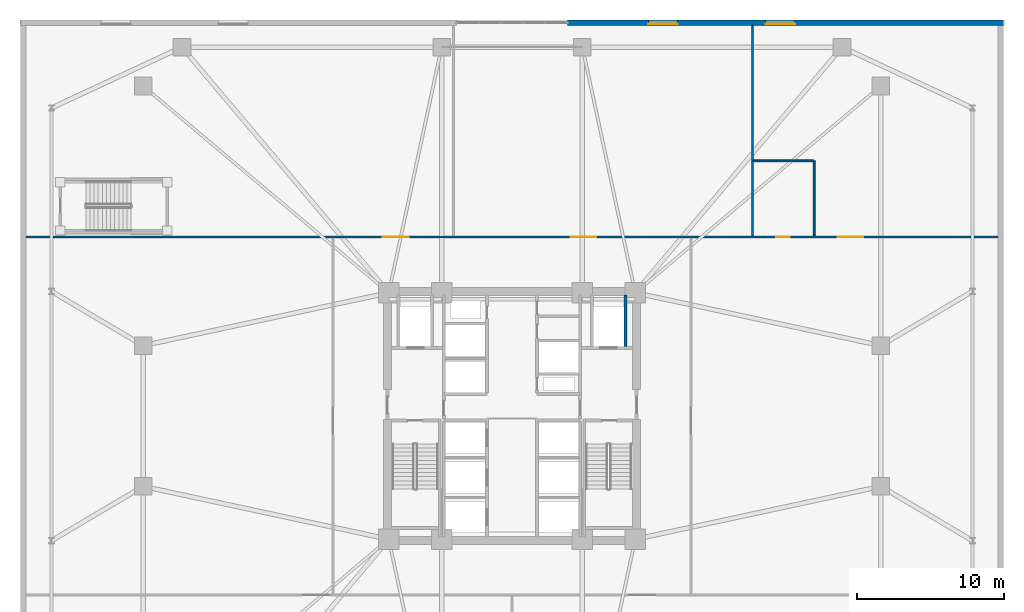
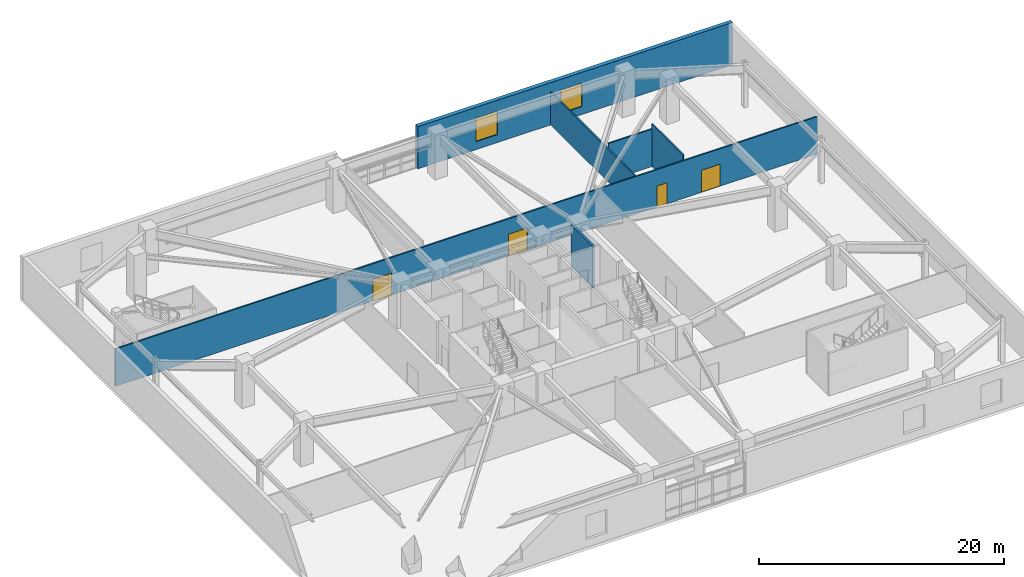
# One storey, part 14 of 21: 6 walls, 4 doors, 2 windows, 6 openings.
"""IFC4 building model written with IfcOpenShell, lengths in metres."""

from ifc_helpers import new_model, si_unit, direction, frame, frame_2d, origin, place, context, subcontext, project, spatial, rectangle, extrude, material, layer, layer_set, type_object, element, fill, save


model = new_model("IFC4")

# Units and contexts
model_context = context("Model", 3, precision=1e-05, world=origin(), true_north=direction((0.0, 1.0)))
body_context = subcontext(model_context, "Body", "Model", "MODEL_VIEW")
ifc_project = project(units=[si_unit("LENGTHUNIT", "METRE"), si_unit("AREAUNIT", "SQUARE_METRE"), si_unit("VOLUMEUNIT", "CUBIC_METRE"), si_unit("PLANEANGLEUNIT", "RADIAN"), si_unit("MASSUNIT", "GRAM", prefix="KILO")], contexts=[model_context])

# Site, building, storey
site_placement = place(None, origin())
site = spatial("IfcSite", under=ifc_project, at=site_placement, CompositionType="ELEMENT")
building_placement = place(site_placement, origin())
building = spatial("IfcBuilding", under=site, at=building_placement, Name="Cairnveth Concourse Tower", CompositionType="ELEMENT")
storey_placement = place(building_placement, frame((0.0, 0.0, 10.0)))
storey = spatial("IfcBuildingStorey", under=building, at=storey_placement, Name="L02", CompositionType="ELEMENT", Elevation=10.0)

# Wall
ifc_material_1 = material(Name="Concrete N50 (50 MPa)", Category="concrete")
ifc_layer_1 = layer(ifc_material_1, 0.199951171875)
ifc_layer_set_1 = layer_set([ifc_layer_1], Name="Concrete N50 (50 MPa)")
wall_type_1 = type_object("IfcWallType", Name="FIRE SHAFT WALL 200", PredefinedType="SOLIDWALL", material=ifc_layer_set_1)
wall_1_placement = place(storey_placement, frame((59.75, 43.735107421875, 0.0), z_axis=(0.0, 0.0, 1.0), x_axis=(0.0, 1.0, 0.0)))
element("IfcWall", 1, at=wall_1_placement, inside=storey, type_object=wall_type_1, Name="Interior Wall IW-L02-024", PredefinedType="SOLIDWALL", context=body_context, shape_type="SweptSolid", body=[
    extrude(rectangle(XDim=3.5048828125, YDim=0.199951171875, at=frame_2d((1.75244140625, 0.0))), origin(), (0.0, 0.0, 1.0), 4.219970703125),
])

# Wall, openings, doors
ifc_material_2 = material(Name="Gypsum Plasterboard Partition", Category="gypsum")
ifc_layer_2 = layer(ifc_material_2, 0.139892578125)
ifc_layer_set_2 = layer_set([ifc_layer_2], Name="Gypsum Plasterboard Partition")
wall_type_2 = type_object("IfcWallType", Name="GYPSUM STUD PARTITION 140", PredefinedType="PARTITIONING", material=ifc_layer_set_2)
wall_2_placement = place(storey_placement, frame((18.864990234375, 51.199951171875, 0.0), z_axis=(0.0, 0.0, 1.0), x_axis=(1.0, 0.0, 0.0)))
wall_2 = element("IfcWall", 2, at=wall_2_placement, inside=storey, type_object=wall_type_2, Name="Interior Wall IW-L02-039", PredefinedType="PARTITIONING", context=body_context, shape_type="SweptSolid", body=[
    extrude(rectangle(XDim=66.27001953125, YDim=0.139892578125, at=frame_2d((33.135009765625, 0.0))), origin(), (0.0, 0.0, 1.0), 3.738037109375),
])
opening_1_placement = place(wall_2_placement, frame((24.3349609375, 0.0, 0.0)))
opening_1 = element("IfcOpeningElement", 3, at=opening_1_placement, cuts=wall_2, Name="Opening ID27", PredefinedType="OPENING", context=body_context, shape_type="SweptSolid", body=[
    extrude(rectangle(XDim=1.760009765625, YDim=2.199951171875, at=frame_2d((0.8798828125, 1.10009765625))), frame((0.0, 0.079833984375, 0.0), z_axis=(0.0, -1.0, 0.0), x_axis=(1.0, 0.0, 0.0)), (0.0, 0.0, 1.0), 0.159912109375),
])
opening_2_placement = place(wall_2_placement, frame((37.135009765625, 0.0, 0.0)))
opening_2 = element("IfcOpeningElement", 4, at=opening_2_placement, cuts=wall_2, Name="Opening ID27", PredefinedType="OPENING", context=body_context, shape_type="SweptSolid", body=[
    extrude(rectangle(XDim=1.760009765625, YDim=2.199951171875, at=frame_2d((0.8798828125, 1.10009765625))), frame((0.0, 0.079833984375, 0.0), z_axis=(0.0, -1.0, 0.0), x_axis=(1.0, 0.0, 0.0)), (0.0, 0.0, 1.0), 0.159912109375),
])
opening_3_placement = place(wall_2_placement, frame((51.135009765625, 0.0, 0.0)))
opening_3 = element("IfcOpeningElement", 5, at=opening_3_placement, cuts=wall_2, Name="Opening ID13", PredefinedType="OPENING", context=body_context, shape_type="SweptSolid", body=[
    extrude(rectangle(XDim=0.949951171875, YDim=2.10009765625, at=frame_2d((0.47509765625, 1.050048828125))), frame((0.0, 0.079833984375, 0.0), z_axis=(0.0, -1.0, 0.0), x_axis=(1.0, 0.0, 0.0)), (0.0, 0.0, 1.0), 0.159912109375),
])
opening_4_placement = place(wall_2_placement, frame((55.3349609375, 0.0, 0.0)))
opening_4 = element("IfcOpeningElement", 6, at=opening_4_placement, cuts=wall_2, Name="Opening ID27", PredefinedType="OPENING", context=body_context, shape_type="SweptSolid", body=[
    extrude(rectangle(XDim=1.760009765625, YDim=2.199951171875, at=frame_2d((0.8798828125, 1.10009765625))), frame((0.0, 0.079833984375, 0.0), z_axis=(0.0, -1.0, 0.0), x_axis=(1.0, 0.0, 0.0)), (0.0, 0.0, 1.0), 0.159912109375),
])
ifc_material_3 = material(Name="Solid Core Hardwood Timber Leaf", Category="wood")
door_type_1 = type_object("IfcDoorType", Name="ACCESSIBLE WC DOOR 950X2100", OperationType="NOTDEFINED", PredefinedType="DOOR", material=ifc_material_3)
door_1_placement = place(opening_3_placement, origin())
door_1 = element("IfcDoor", 7, at=door_1_placement, inside=storey, type_object=door_type_1, Name="Interior Door DR-L02-018", OperationType="SINGLE_SWING_RIGHT", OverallHeight=2.10009765625, OverallWidth=0.949951171875, PredefinedType="DOOR", context=body_context, shape_type="SweptSolid", body=[
    extrude(rectangle(XDim=0.949951171875, YDim=2.10009765625, at=frame_2d((0.47509765625, 1.050048828125))), frame((0.0, 0.02490234375, 0.0), z_axis=(0.0, -1.0, 0.0), x_axis=(1.0, 0.0, 0.0)), (0.0, 0.0, 1.0), 0.050048828125),
])
fill(opening_3, door_1)
door_type_2 = type_object("IfcDoorType", Name="CONCOURSE DOUBLE DOOR 1760X2200", OperationType="DOUBLE_DOOR_SINGLE_SWING", PredefinedType="DOOR", material=ifc_material_3)
door_2_placement = place(opening_1_placement, origin())
door_2 = element("IfcDoor", 8, at=door_2_placement, inside=storey, type_object=door_type_2, Name="Interior Door DR-L02-016", OperationType="DOUBLE_DOOR_SINGLE_SWING", OverallHeight=2.199951171875, OverallWidth=1.760009765625, PredefinedType="DOOR", context=body_context, shape_type="SweptSolid", body=[
    extrude(rectangle(XDim=1.760009765625, YDim=2.199951171875, at=frame_2d((0.8798828125, 1.10009765625))), frame((0.0, 0.02490234375, 0.0), z_axis=(0.0, -1.0, 0.0), x_axis=(1.0, 0.0, 0.0)), (0.0, 0.0, 1.0), 0.050048828125),
])
fill(opening_1, door_2)
door_3_placement = place(opening_2_placement, origin())
door_3 = element("IfcDoor", 9, at=door_3_placement, inside=storey, type_object=door_type_2, Name="Interior Door DR-L02-017", OperationType="DOUBLE_DOOR_SINGLE_SWING", OverallHeight=2.199951171875, OverallWidth=1.760009765625, PredefinedType="DOOR", context=body_context, shape_type="SweptSolid", body=[
    extrude(rectangle(XDim=1.760009765625, YDim=2.199951171875, at=frame_2d((0.8798828125, 1.10009765625))), frame((0.0, 0.02490234375, 0.0), z_axis=(0.0, -1.0, 0.0), x_axis=(1.0, 0.0, 0.0)), (0.0, 0.0, 1.0), 0.050048828125),
])
fill(opening_2, door_3)
door_4_placement = place(opening_4_placement, origin())
door_4 = element("IfcDoor", 10, at=door_4_placement, inside=storey, type_object=door_type_2, Name="Interior Door DR-L02-019", OperationType="DOUBLE_DOOR_SINGLE_SWING", OverallHeight=2.199951171875, OverallWidth=1.760009765625, PredefinedType="DOOR", context=body_context, shape_type="SweptSolid", body=[
    extrude(rectangle(XDim=1.760009765625, YDim=2.199951171875, at=frame_2d((0.8798828125, 1.10009765625))), frame((0.0, 0.02490234375, 0.0), z_axis=(0.0, -1.0, 0.0), x_axis=(1.0, 0.0, 0.0)), (0.0, 0.0, 1.0), 0.050048828125),
])
fill(opening_4, door_4)

# Wall, openings, windows
ifc_material_4 = material(Name="Hawthorn Red-Ochre Fired Clay Brick Masonry", Category="masonry")
ifc_layer_3 = layer(ifc_material_4, 0.3798828125)
ifc_layer_set_3 = layer_set([ifc_layer_3], Name="Hawthorn Red-Ochre Fired Clay Brick Masonry")
wall_type_3 = type_object("IfcWallType", Name="UPPER PODIUM BRICK WALL 380", PredefinedType="SOLIDWALL", material=ifc_layer_set_3)
wall_3_placement = place(storey_placement, frame((55.800048828125, 65.81005859375, 0.0), z_axis=(0.0, 0.0, 1.0), x_axis=(1.0, 0.0, 0.0)))
wall_3 = element("IfcWall", 11, at=wall_3_placement, inside=storey, type_object=wall_type_3, Name="Exterior Wall EW-L02-NE", PredefinedType="SOLIDWALL", context=body_context, shape_type="SweptSolid", body=[
    extrude(rectangle(XDim=29.699951171875, YDim=0.3798828125, at=frame_2d((14.85009765625, 0.0))), origin(), (0.0, 0.0, 1.0), 4.219970703125),
])
opening_5_placement = place(wall_3_placement, frame((5.5, 0.0, 0.800048828125)))
opening_5 = element("IfcOpeningElement", 12, at=opening_5_placement, cuts=wall_3, Name="Opening W10", PredefinedType="OPENING", context=body_context, shape_type="SweptSolid", body=[
    extrude(rectangle(XDim=2.0, YDim=2.345947265625, at=frame_2d((1.0, 1.1728515625))), frame((0.0, 0.199951171875, 0.0), z_axis=(0.0, -1.0, 0.0), x_axis=(1.0, 0.0, 0.0)), (0.0, 0.0, 1.0), 0.39990234375),
])
opening_6_placement = place(wall_3_placement, frame((13.5, 0.0, 0.800048828125)))
opening_6 = element("IfcOpeningElement", 13, at=opening_6_placement, cuts=wall_3, Name="Opening W10", PredefinedType="OPENING", context=body_context, shape_type="SweptSolid", body=[
    extrude(rectangle(XDim=2.0, YDim=2.345947265625, at=frame_2d((1.0, 1.1728515625))), frame((0.0, 0.199951171875, 0.0), z_axis=(0.0, -1.0, 0.0), x_axis=(1.0, 0.0, 0.0)), (0.0, 0.0, 1.0), 0.39990234375),
])
ifc_material_5 = material(Name="Double Glazed Low-E Clear Glass", Category="glass")
window_type = type_object("IfcWindowType", Name="DEEP-SET PODIUM ARCHED WINDOW 2000X2400", PartitioningType="DOUBLE_PANEL_VERTICAL", PredefinedType="WINDOW", material=ifc_material_5)
window_1_placement = place(opening_5_placement, origin())
window_1 = element("IfcWindow", 14, at=window_1_placement, inside=storey, type_object=window_type, Name="WIN-L02-NE-1", OverallHeight=2.345947265625, OverallWidth=2.0, PartitioningType="SINGLE_PANEL", PredefinedType="WINDOW", context=body_context, shape_type="SweptSolid", body=[
    extrude(rectangle(XDim=2.0, YDim=2.345947265625, at=frame_2d((1.0, 1.1728515625))), frame((0.0, -0.050048828125, 0.0), z_axis=(0.0, -1.0, 0.0), x_axis=(1.0, 0.0, 0.0)), (0.0, 0.0, 1.0), 0.06005859375),
])
fill(opening_5, window_1)
window_2_placement = place(opening_6_placement, origin())
window_2 = element("IfcWindow", 15, at=window_2_placement, inside=storey, type_object=window_type, Name="WIN-L02-NE-2", OverallHeight=2.345947265625, OverallWidth=2.0, PartitioningType="SINGLE_PANEL", PredefinedType="WINDOW", context=body_context, shape_type="SweptSolid", body=[
    extrude(rectangle(XDim=2.0, YDim=2.345947265625, at=frame_2d((1.0, 1.1728515625))), frame((0.0, -0.050048828125, 0.0), z_axis=(0.0, -1.0, 0.0), x_axis=(1.0, 0.0, 0.0)), (0.0, 0.0, 1.0), 0.06005859375),
])
fill(opening_6, window_2)

# Walls
ifc_layer_4 = layer(ifc_material_2, 0.1298828125)
ifc_layer_set_4 = layer_set([ifc_layer_4], Name="Gypsum Plasterboard Partition")
wall_type_4 = type_object("IfcWallType", Name="WET AREA PARTITION 140", PredefinedType="PLUMBINGWALL", material=ifc_layer_set_4)
wall_4_placement = place(storey_placement, frame((68.39990234375, 51.300048828125, 0.0), z_axis=(0.0, 0.0, 1.0), x_axis=(0.0, 1.0, 0.0)))
element("IfcWall", 16, at=wall_4_placement, inside=storey, type_object=wall_type_4, Name="Interior Wall IW-L02-044", PredefinedType="PLUMBINGWALL", context=body_context, shape_type="SweptSolid", body=[
    extrude(rectangle(XDim=14.3349609375, YDim=0.1298828125, at=frame_2d((7.16748046875, 0.0))), origin(), (0.0, 0.0, 1.0), 3.27099609375),
])
wall_5_placement = place(storey_placement, frame((72.60009765625, 51.300048828125, 0.0), z_axis=(0.0, 0.0, 1.0), x_axis=(0.0, 1.0, 0.0)))
element("IfcWall", 17, at=wall_5_placement, inside=storey, type_object=wall_type_4, Name="Interior Wall IW-L02-045", PredefinedType="PLUMBINGWALL", context=body_context, shape_type="SweptSolid", body=[
    extrude(rectangle(XDim=5.099853515625, YDim=0.1298828125, at=frame_2d((2.5498046875, 0.0))), origin(), (0.0, 0.0, 1.0), 4.219970703125),
])
wall_6_placement = place(storey_placement, frame((68.449951171875, 56.39990234375, 0.0), z_axis=(0.0, 0.0, 1.0), x_axis=(1.0, 0.0, 0.0)))
element("IfcWall", 18, at=wall_6_placement, inside=storey, type_object=wall_type_4, Name="Interior Wall IW-L02-046", PredefinedType="PLUMBINGWALL", context=body_context, shape_type="SweptSolid", body=[
    extrude(rectangle(XDim=4.10009765625, YDim=0.1298828125, at=frame_2d((2.050048828125, 0.0))), origin(), (0.0, 0.0, 1.0), 3.738037109375),
])

save(model, "model.ifc")
